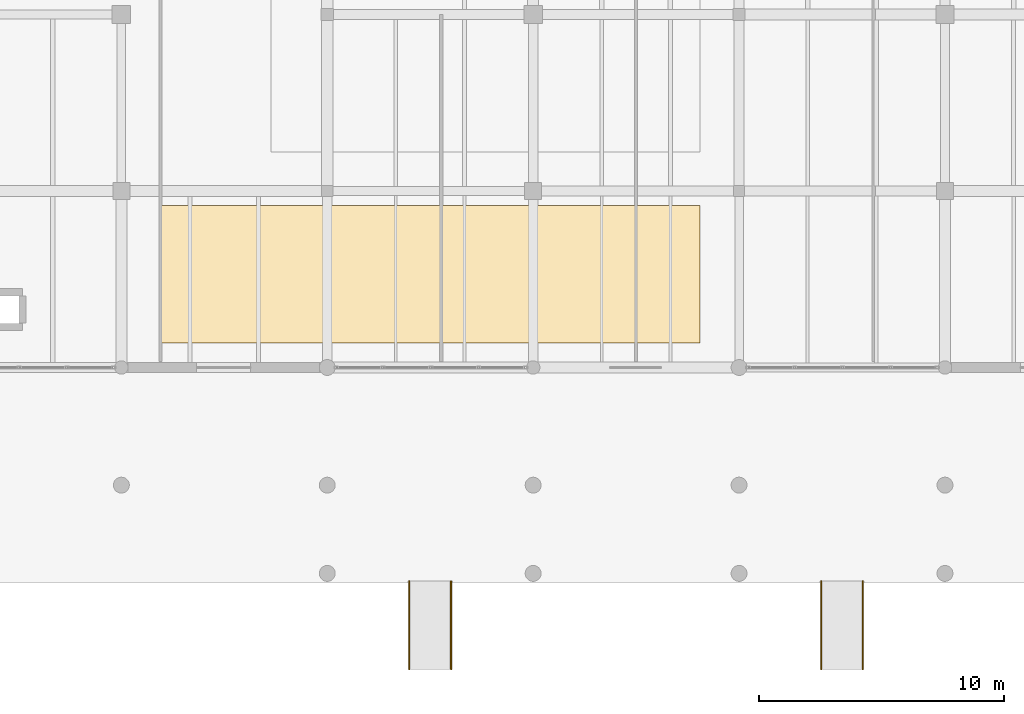
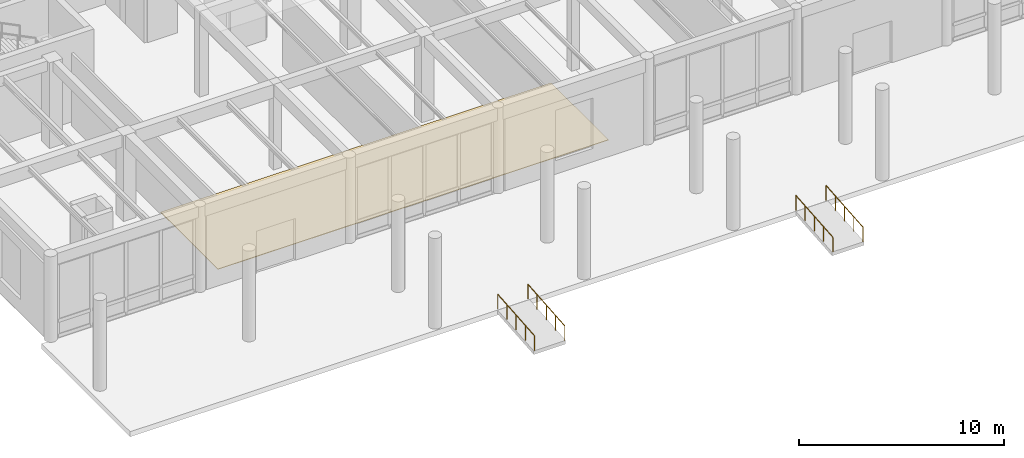
# One storey, part 148 of 169: 4 railings, 1 covering.
"""IFC4 building model written with IfcOpenShell, lengths in metres."""

from ifc_helpers import new_model, si_unit, direction, frame, origin, origin_2d, place, context, subcontext, project, spatial, polyline, circle, outline, extrude, material, layer, layer_set, type_object, element, save


model = new_model("IFC4")

# Units and contexts
model_context = context("Model", 3, precision=1e-05, world=origin(), true_north=direction((0.0, 1.0)))
body_context = subcontext(model_context, "Body", "Model", "MODEL_VIEW")
ifc_project = project(units=[si_unit("LENGTHUNIT", "METRE"), si_unit("AREAUNIT", "SQUARE_METRE"), si_unit("VOLUMEUNIT", "CUBIC_METRE"), si_unit("PLANEANGLEUNIT", "RADIAN"), si_unit("MASSUNIT", "GRAM", prefix="KILO")], contexts=[model_context])

# Site, building, storey
site_placement = place(None, origin())
site = spatial("IfcSite", under=ifc_project, at=site_placement, CompositionType="ELEMENT")
building_placement = place(site_placement, origin())
building = spatial("IfcBuilding", under=site, at=building_placement, Name="Mazaris Harbour Polytechnic", CompositionType="ELEMENT")
storey_placement = place(building_placement, origin())
storey = spatial("IfcBuildingStorey", under=building, at=storey_placement, Name="L00", CompositionType="ELEMENT", Elevation=0.0)

# Railings
ifc_material_1 = material(Name="Stainless Steel S355", Category="steel")
railing_type = type_object("IfcRailingType", Name="Accessible Ramp Handrail 900", PredefinedType="HANDRAIL", material=ifc_material_1)
for number, where, name in (
    (1, (74.14990234375, -5.1201171875, -0.300048828125), "RAMP-01 Handrail L"),
    (2, (75.85009765625, -5.1201171875, -0.300048828125), "RAMP-01 Handrail R"),
    (3, (90.949951171875, -5.1201171875, -0.300048828125), "RAMP-02 Handrail L"),
    (4, (92.64990234375, -5.1201171875, -0.300048828125), "RAMP-02 Handrail R"),
):
    element("IfcRailing", number, at=place(storey_placement, frame(where)), inside=storey, type_object=railing_type, Name=name, PredefinedType="HANDRAIL", context=body_context, shape_type="SweptSolid", body=[
        extrude(circle(Radius=0.02392578125, at=origin_2d()), frame((0.0, 0.0, 0.8759765625), z_axis=(0.0, 0.996544826035, 0.083056665618), x_axis=(-1.0, 0.0, 0.0)), (0.0, 0.0, 1.0), 3.612548828125),
        extrude(circle(Radius=0.02099609375, at=origin_2d()), origin(), (0.0, 0.0, 1.0), 0.851806640625),
        extrude(circle(Radius=0.02099609375, at=origin_2d()), frame((0.0, 0.89990234375, 0.074951171875)), (0.0, 0.0, 1.0), 0.851806640625),
        extrude(circle(Radius=0.02099609375, at=origin_2d()), frame((0.0, 1.800048828125, 0.14990234375)), (0.0, 0.0, 1.0), 0.851806640625),
        extrude(circle(Radius=0.02099609375, at=origin_2d()), frame((0.0, 2.7001953125, 0.22509765625)), (0.0, 0.0, 1.0), 0.851806640625),
        extrude(circle(Radius=0.02099609375, at=origin_2d()), frame((0.0, 3.60009765625, 0.300048828125)), (0.0, 0.0, 1.0), 0.851806640625),
    ])

# Covering
ifc_material_2 = material(Name="Honed Stone Terrazzo", Category="masonry")
ifc_layer = layer(ifc_material_2, 0.034912109375, Name="Honed Stone Terrazzo")
ifc_layer_set = layer_set([ifc_layer], Name="Honed Stone Terrazzo")
covering_type = type_object("IfcCoveringType", Name="Honed Stone Terrazzo Flooring 35", PredefinedType="FLOORING", material=ifc_layer_set)
covering_placement = place(storey_placement, origin())
element("IfcCovering", 5, at=covering_placement, inside=storey, type_object=covering_type, Name="Covering COV-FL-01", PredefinedType="FLOORING", context=body_context, shape_type="SweptSolid", body=[
    extrude(outline(polyline([(64.0, 8.199951171875), (86.0, 8.199951171875), (86.0, 13.800048828125), (64.0, 13.800048828125), (64.0, 8.199951171875)])), origin(), (0.0, 0.0, 1.0), 0.034912109375),
])

save(model, "model.ifc")
